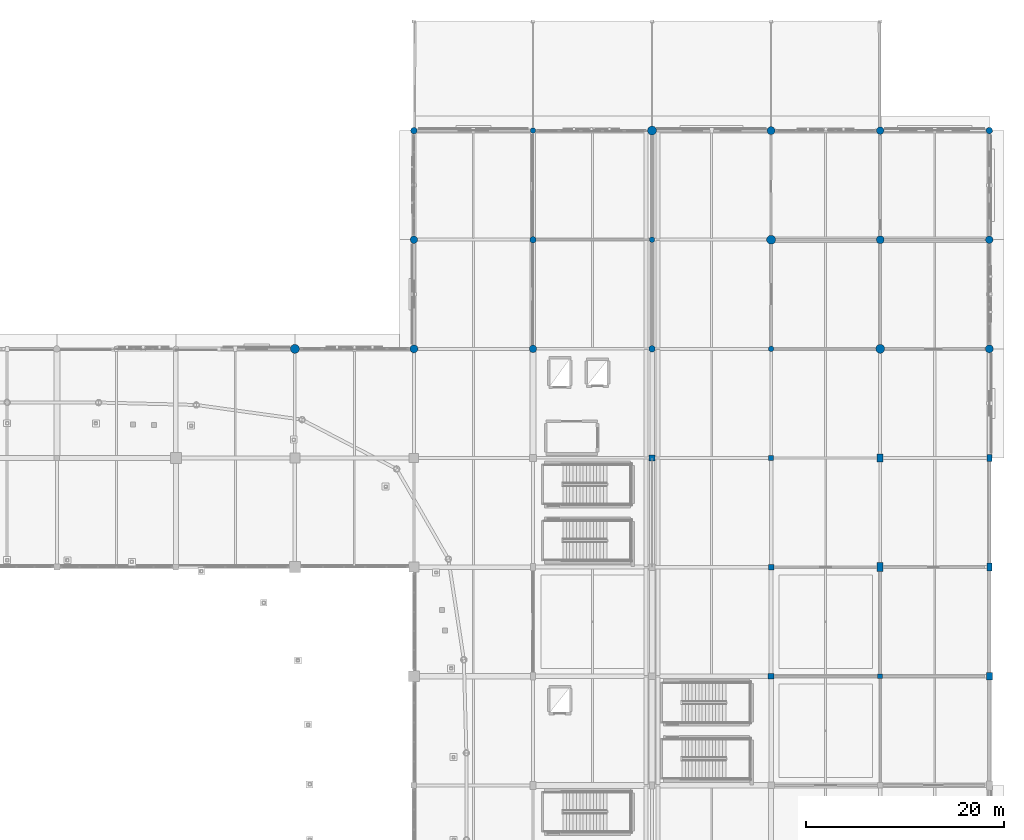
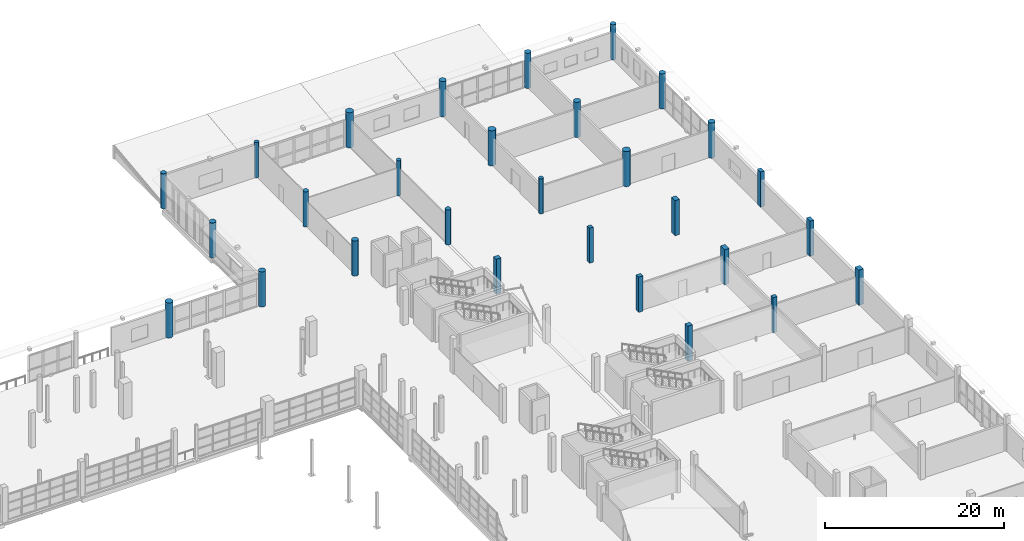
# One storey, part 19 of 143: 29 columns.
"""IFC4 building model written with IfcOpenShell, lengths in metres."""

from ifc_helpers import new_model, si_unit, direction, frame, origin, origin_2d, place, context, subcontext, project, spatial, rectangle, circle, extrude, material, material_profile, profile_set, type_object, element, save


model = new_model("IFC4")

# Units and contexts
model_context = context("Model", 3, precision=1e-05, world=origin(), true_north=direction((0.0, 1.0)))
body_context = subcontext(model_context, "Body", "Model", "MODEL_VIEW")
ifc_project = project(units=[si_unit("LENGTHUNIT", "METRE"), si_unit("AREAUNIT", "SQUARE_METRE"), si_unit("VOLUMEUNIT", "CUBIC_METRE"), si_unit("PLANEANGLEUNIT", "RADIAN"), si_unit("MASSUNIT", "GRAM", prefix="KILO")], contexts=[model_context])

# Site, building, storey
site_placement = place(None, origin())
site = spatial("IfcSite", under=ifc_project, at=site_placement, CompositionType="ELEMENT")
building_placement = place(site_placement, origin())
building = spatial("IfcBuilding", under=site, at=building_placement, Name="Luwafu Chhajja Arena", CompositionType="ELEMENT")
storey_placement = place(building_placement, frame((0.0, 0.0, 5.39990234375)))
storey = spatial("IfcBuildingStorey", under=building, at=storey_placement, Name="L01", CompositionType="ELEMENT", Elevation=5.39990234375)

# Columns
ifc_material_1 = material(Name="Concrete C35/45", Category="concrete")
ifc_material_profile_1 = material_profile(ifc_material_1, rectangle(XDim=0.5, YDim=0.800048828125, at=origin_2d()), Name="RC 500x800")
ifc_profile_set_1 = profile_set([ifc_material_profile_1], Name="Concrete C35/45")
column_type_1 = type_object("IfcColumnType", Name="BOH Frame Column RC 500x800", PredefinedType="COLUMN", material=ifc_profile_set_1)
column_1_placement = place(storey_placement, frame((198.0, 77.0, 0.0), z_axis=(0.0, 0.0, 1.0), x_axis=(1.0, 0.0, 0.0)))
element("IfcColumn", 1, at=column_1_placement, inside=storey, type_object=column_type_1, Name="L01 Grid Column 18/H", PredefinedType="COLUMN", context=body_context, shape_type="SweptSolid", body=[
    extrude(rectangle(XDim=0.5, YDim=0.800048828125, at=origin_2d()), origin(), (0.0, 0.0, 1.0), 4.800048828125),
])
ifc_material_profile_2 = material_profile(ifc_material_1, circle(Radius=0.375, at=origin_2d()), Name="RC COL D750")
ifc_profile_set_2 = profile_set([ifc_material_profile_2], Name="Concrete C35/45")
column_type_2 = type_object("IfcColumnType", Name="Charbagh Cloister Pier D750", PredefinedType="COLUMN", material=ifc_profile_set_2)
for number, where, z_axis, x_axis, name in (
    (2, (140.0, 110.0, 0.0), (0.0, 0.0, 1.0), (1.0, 0.0, 0.0), "L01 Grid Column 13/L"),
    (3, (152.0, 99.0, 0.0), (0.0, 0.0, 1.0), (1.0, 0.0, 0.0), "L01 Grid Column 14/K"),
    (4, (187.0, 121.0, 0.0), (0.0, 0.0, 1.0), (1.0, 0.0, 0.0), "L01 Grid Column 17/M"),
    (5, (198.0, 110.0, 0.0), (0.0, 0.0, 1.0), (1.0, 0.0, 0.0), "L01 Grid Column 18/L"),
):
    element("IfcColumn", number, at=place(storey_placement, frame(where, z_axis=z_axis, x_axis=x_axis)), inside=storey, type_object=column_type_2, Name=name, PredefinedType="COLUMN", context=body_context, shape_type="SweptSolid", body=[
        extrude(circle(Radius=0.375, at=origin_2d()), origin(), (0.0, 0.0, 1.0), 4.800048828125),
    ])
ifc_material_profile_3 = material_profile(ifc_material_1, circle(Radius=0.324951171875, at=origin_2d()), Name="RC COL D650")
ifc_profile_set_3 = profile_set([ifc_material_profile_3], Name="Concrete C35/45")
column_type_3 = type_object("IfcColumnType", Name="Courtyard Arcade Pier D650", PredefinedType="COLUMN", material=ifc_profile_set_3)
for number, where, z_axis, x_axis, name in (
    (6, (140.0, 121.0, 0.0), (0.0, 0.0, 1.0), (1.0, 0.0, 0.0), "L01 Grid Column 13/M"),
    (7, (152.0, 110.0, 0.0), (0.0, 0.0, 1.0), (1.0, 0.0, 0.0), "L01 Grid Column 14/L"),
    (8, (164.0, 99.0, 0.0), (0.0, 0.0, 1.0), (1.0, 0.0, 0.0), "L01 Grid Column 15/K"),
    (9, (198.0, 121.0, 0.0), (0.0, 0.0, 1.0), (1.0, 0.0, 0.0), "L01 Grid Column 18/M"),
):
    element("IfcColumn", number, at=place(storey_placement, frame(where, z_axis=z_axis, x_axis=x_axis)), inside=storey, type_object=column_type_3, Name=name, PredefinedType="COLUMN", context=body_context, shape_type="SweptSolid", body=[
        extrude(circle(Radius=0.324951171875, at=origin_2d()), origin(), (0.0, 0.0, 1.0), 4.800048828125),
    ])
ifc_material_2 = material(Name="Concrete C40/50", Category="concrete")
ifc_material_profile_4 = material_profile(ifc_material_2, circle(Radius=0.39990234375, at=origin_2d()), Name="RC COL D800")
ifc_profile_set_4 = profile_set([ifc_material_profile_4], Name="Concrete C40/50")
column_type_4 = type_object("IfcColumnType", Name="Foyer Rotunda Pier D800", PredefinedType="COLUMN", material=ifc_profile_set_4)
for number, where, z_axis, x_axis, name in (
    (10, (140.0, 99.0, 0.0), (0.0, 0.0, 1.0), (1.0, 0.0, 0.0), "L01 Grid Column 13/K"),
    (11, (176.0, 121.0, 0.0), (0.0, 0.0, 1.0), (1.0, 0.0, 0.0), "L01 Grid Column 16/M"),
    (12, (187.0, 110.0, 0.0), (0.0, 0.0, 1.0), (1.0, 0.0, 0.0), "L01 Grid Column 17/L"),
    (13, (198.0, 99.0, 0.0), (0.0, 0.0, 1.0), (1.0, 0.0, 0.0), "L01 Grid Column 18/K"),
):
    element("IfcColumn", number, at=place(storey_placement, frame(where, z_axis=z_axis, x_axis=x_axis)), inside=storey, type_object=column_type_4, Name=name, PredefinedType="COLUMN", context=body_context, shape_type="SweptSolid", body=[
        extrude(circle(Radius=0.39990234375, at=origin_2d()), origin(), (0.0, 0.0, 1.0), 4.800048828125),
    ])
ifc_material_profile_5 = material_profile(ifc_material_1, rectangle(XDim=0.550048828125, YDim=0.550048828125, at=origin_2d()), Name="RC 550x550")
ifc_profile_set_5 = profile_set([ifc_material_profile_5], Name="Concrete C35/45")
column_type_5 = type_object("IfcColumnType", Name="Gallery Column RC 550", PredefinedType="COLUMN", material=ifc_profile_set_5)
column_2_placement = place(storey_placement, frame((176.0, 77.0, 0.0), z_axis=(0.0, 0.0, 1.0), x_axis=(1.0, 0.0, 0.0)))
element("IfcColumn", 14, at=column_2_placement, inside=storey, type_object=column_type_5, Name="L01 Grid Column 16/H", PredefinedType="COLUMN", context=body_context, shape_type="SweptSolid", body=[
    extrude(rectangle(XDim=0.550048828125, YDim=0.550048828125, at=origin_2d()), origin(), (0.0, 0.0, 1.0), 4.800048828125),
])
ifc_material_profile_6 = material_profile(ifc_material_1, rectangle(XDim=0.60009765625, YDim=0.60009765625, at=origin_2d()), Name="RC 600x600")
ifc_profile_set_6 = profile_set([ifc_material_profile_6], Name="Concrete C35/45")
column_type_6 = type_object("IfcColumnType", Name="Mezzanine Column RC 600", PredefinedType="COLUMN", material=ifc_profile_set_6)
for number, where, z_axis, x_axis, name in (
    (15, (164.0, 88.0, 0.0), (0.0, 0.0, 1.0), (1.0, 0.0, 0.0), "L01 Grid Column 15/J"),
    (16, (176.0, 66.0, 0.0), (0.0, 0.0, 1.0), (1.0, 0.0, 0.0), "L01 Grid Column 16/G"),
):
    element("IfcColumn", number, at=place(storey_placement, frame(where, z_axis=z_axis, x_axis=x_axis)), inside=storey, type_object=column_type_6, Name=name, PredefinedType="COLUMN", context=body_context, shape_type="SweptSolid", body=[
        extrude(rectangle(XDim=0.60009765625, YDim=0.60009765625, at=origin_2d()), origin(), (0.0, 0.0, 1.0), 4.800048828125),
    ])
ifc_material_profile_7 = material_profile(ifc_material_2, circle(Radius=0.449951171875, at=origin_2d()), Name="RC COL D900")
ifc_profile_set_7 = profile_set([ifc_material_profile_7], Name="Concrete C40/50")
column_type_7 = type_object("IfcColumnType", Name="Mughal Colonnade Drum Pier D900", PredefinedType="COLUMN", material=ifc_profile_set_7)
for number, where, z_axis, x_axis, name in (
    (17, (128.0, 99.0, 0.0), (0.0, 0.0, 1.0), (1.0, 0.0, 0.0), "L01 Grid Column 12/K"),
    (18, (164.0, 121.0, 0.0), (0.0, 0.0, 1.0), (1.0, 0.0, 0.0), "L01 Grid Column 15/M"),
    (19, (176.0, 110.0, 0.0), (0.0, 0.0, 1.0), (1.0, 0.0, 0.0), "L01 Grid Column 16/L"),
    (20, (187.0, 99.0, 0.0), (0.0, 0.0, 1.0), (1.0, 0.0, 0.0), "L01 Grid Column 17/K"),
):
    element("IfcColumn", number, at=place(storey_placement, frame(where, z_axis=z_axis, x_axis=x_axis)), inside=storey, type_object=column_type_7, Name=name, PredefinedType="COLUMN", context=body_context, shape_type="SweptSolid", body=[
        extrude(circle(Radius=0.449951171875, at=origin_2d()), origin(), (0.0, 0.0, 1.0), 4.800048828125),
    ])
ifc_material_profile_8 = material_profile(ifc_material_1, rectangle(XDim=0.5, YDim=0.5, at=origin_2d()), Name="RC 500x500")
ifc_profile_set_8 = profile_set([ifc_material_profile_8], Name="Concrete C35/45")
column_type_8 = type_object("IfcColumnType", Name="Pavilion Column RC 500", PredefinedType="COLUMN", material=ifc_profile_set_8)
for number, where, z_axis, x_axis, name in (
    (21, (176.0, 88.0, 0.0), (0.0, 0.0, 1.0), (1.0, 0.0, 0.0), "L01 Grid Column 16/J"),
    (22, (187.0, 66.0, 0.0), (0.0, 0.0, 1.0), (1.0, 0.0, 0.0), "L01 Grid Column 17/G"),
):
    element("IfcColumn", number, at=place(storey_placement, frame(where, z_axis=z_axis, x_axis=x_axis)), inside=storey, type_object=column_type_8, Name=name, PredefinedType="COLUMN", context=body_context, shape_type="SweptSolid", body=[
        extrude(rectangle(XDim=0.5, YDim=0.5, at=origin_2d()), origin(), (0.0, 0.0, 1.0), 4.800048828125),
    ])
ifc_material_profile_9 = material_profile(ifc_material_1, rectangle(XDim=0.5, YDim=0.699951171875, at=origin_2d()), Name="RC 500x700")
ifc_profile_set_9 = profile_set([ifc_material_profile_9], Name="Concrete C35/45")
column_type_9 = type_object("IfcColumnType", Name="Perimeter Pilaster Column RC 500x700", PredefinedType="COLUMN", material=ifc_profile_set_9)
column_3_placement = place(storey_placement, frame((198.0, 88.0, 0.0), z_axis=(0.0, 0.0, 1.0), x_axis=(1.0, 0.0, 0.0)))
element("IfcColumn", 23, at=column_3_placement, inside=storey, type_object=column_type_9, Name="L01 Grid Column 18/J", PredefinedType="COLUMN", context=body_context, shape_type="SweptSolid", body=[
    extrude(rectangle(XDim=0.5, YDim=0.699951171875, at=origin_2d()), origin(), (0.0, 0.0, 1.0), 4.800048828125),
])
ifc_material_profile_10 = material_profile(ifc_material_2, rectangle(XDim=0.60009765625, YDim=0.800048828125, at=origin_2d()), Name="RC 600x800")
ifc_profile_set_10 = profile_set([ifc_material_profile_10], Name="Concrete C40/50")
column_type_10 = type_object("IfcColumnType", Name="Pishtaq Pier Column RC 600x800", PredefinedType="COLUMN", material=ifc_profile_set_10)
for number, where, z_axis, x_axis, name in (
    (24, (187.0, 88.0, 0.0), (0.0, 0.0, 1.0), (1.0, 0.0, 0.0), "L01 Grid Column 17/J"),
    (25, (198.0, 66.0, 0.0), (0.0, 0.0, 1.0), (1.0, 0.0, 0.0), "L01 Grid Column 18/G"),
):
    element("IfcColumn", number, at=place(storey_placement, frame(where, z_axis=z_axis, x_axis=x_axis)), inside=storey, type_object=column_type_10, Name=name, PredefinedType="COLUMN", context=body_context, shape_type="SweptSolid", body=[
        extrude(rectangle(XDim=0.60009765625, YDim=0.800048828125, at=origin_2d()), origin(), (0.0, 0.0, 1.0), 4.800048828125),
    ])
ifc_material_profile_11 = material_profile(ifc_material_1, circle(Radius=0.27490234375, at=origin_2d()), Name="RC COL D550")
ifc_profile_set_11 = profile_set([ifc_material_profile_11], Name="Concrete C35/45")
column_type_11 = type_object("IfcColumnType", Name="Terrace Loggia Pier D550", PredefinedType="COLUMN", material=ifc_profile_set_11)
for number, where, z_axis, x_axis, name in (
    (26, (152.0, 121.0, 0.0), (0.0, 0.0, 1.0), (1.0, 0.0, 0.0), "L01 Grid Column 14/M"),
    (27, (164.0, 110.0, 0.0), (0.0, 0.0, 1.0), (1.0, 0.0, 0.0), "L01 Grid Column 15/L"),
    (28, (176.0, 99.0, 0.0), (0.0, 0.0, 1.0), (1.0, 0.0, 0.0), "L01 Grid Column 16/K"),
):
    element("IfcColumn", number, at=place(storey_placement, frame(where, z_axis=z_axis, x_axis=x_axis)), inside=storey, type_object=column_type_11, Name=name, PredefinedType="COLUMN", context=body_context, shape_type="SweptSolid", body=[
        extrude(circle(Radius=0.27490234375, at=origin_2d()), origin(), (0.0, 0.0, 1.0), 4.800048828125),
    ])
ifc_material_profile_12 = material_profile(ifc_material_2, rectangle(XDim=0.60009765625, YDim=0.89990234375, at=origin_2d()), Name="RC 600x900")
ifc_profile_set_12 = profile_set([ifc_material_profile_12], Name="Concrete C40/50")
column_type_12 = type_object("IfcColumnType", Name="Warm-Up Hall Portal Column RC 600x900", PredefinedType="COLUMN", material=ifc_profile_set_12)
column_4_placement = place(storey_placement, frame((187.0, 77.0, 0.0), z_axis=(0.0, 0.0, 1.0), x_axis=(1.0, 0.0, 0.0)))
element("IfcColumn", 29, at=column_4_placement, inside=storey, type_object=column_type_12, Name="L01 Grid Column 17/H", PredefinedType="COLUMN", context=body_context, shape_type="SweptSolid", body=[
    extrude(rectangle(XDim=0.60009765625, YDim=0.89990234375, at=origin_2d()), origin(), (0.0, 0.0, 1.0), 4.800048828125),
])

save(model, "model.ifc")
